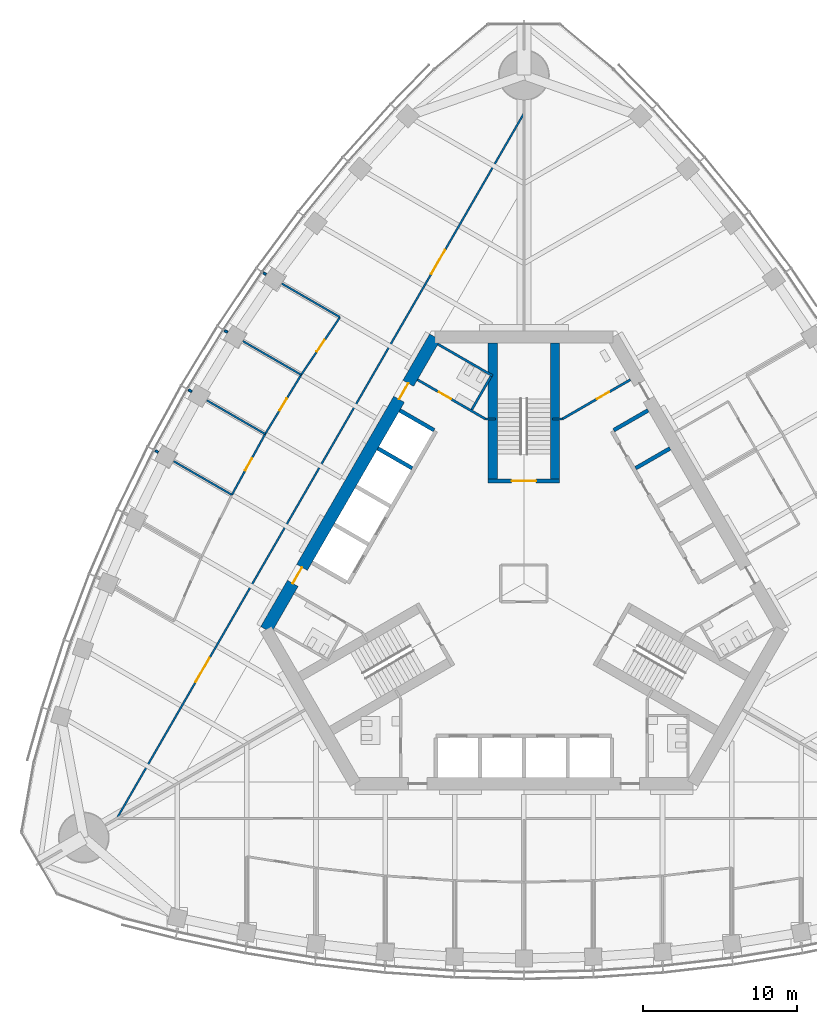
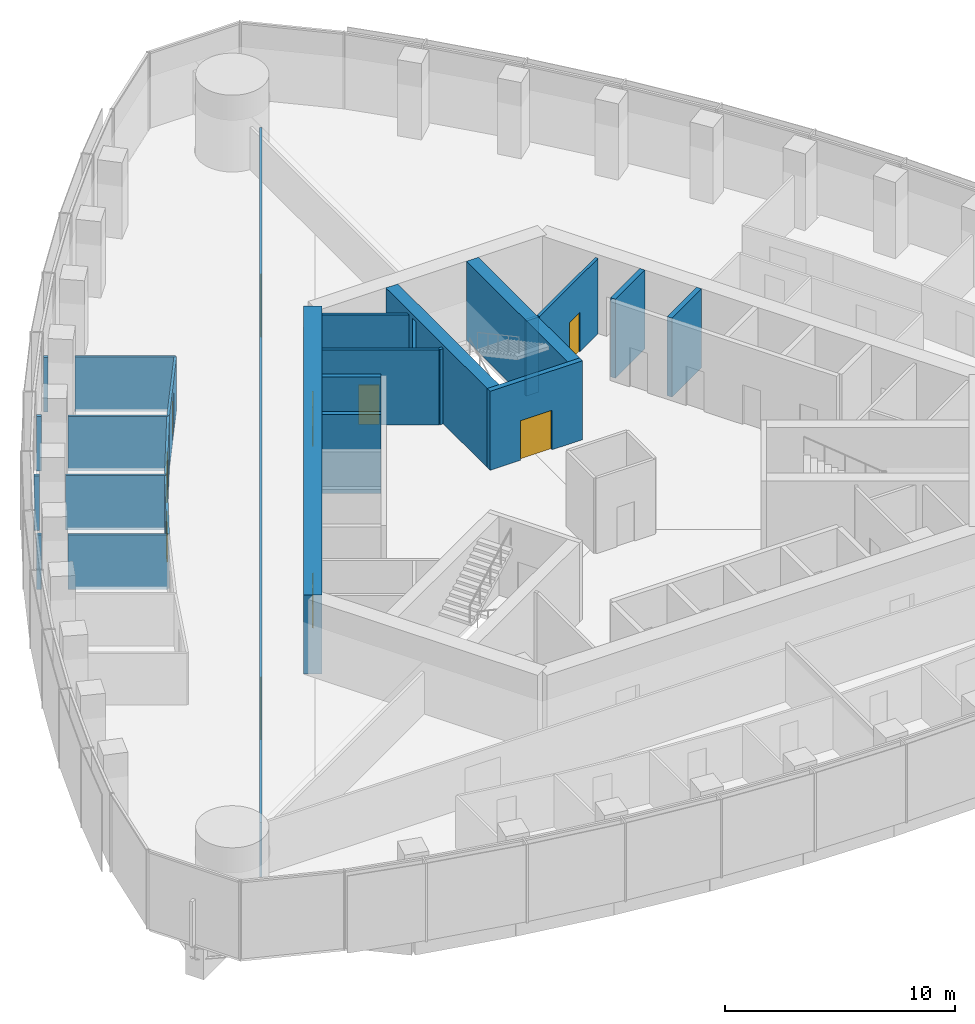
# One storey, part 14 of 20: 26 walls, 10 doors, 10 openings.
"""IFC4 building model written with IfcOpenShell, lengths in metres."""

from ifc_helpers import new_model, si_unit, direction, frame, frame_2d, origin, place, context, subcontext, project, spatial, rectangle, extrude, material, layer, layer_set, type_object, element, fill, save


model = new_model("IFC4")

# Units and contexts
model_context = context("Model", 3, precision=1e-05, world=origin(), true_north=direction((0.0, 1.0)))
body_context = subcontext(model_context, "Body", "Model", "MODEL_VIEW")
ifc_project = project(units=[si_unit("LENGTHUNIT", "METRE"), si_unit("AREAUNIT", "SQUARE_METRE"), si_unit("VOLUMEUNIT", "CUBIC_METRE"), si_unit("PLANEANGLEUNIT", "RADIAN"), si_unit("MASSUNIT", "GRAM", prefix="KILO")], contexts=[model_context])

# Site, building, storey
site_placement = place(None, origin())
site = spatial("IfcSite", under=ifc_project, at=site_placement, CompositionType="ELEMENT")
building_placement = place(site_placement, origin())
building = spatial("IfcBuilding", under=site, at=building_placement, Name="Trefoil Bronze Tower", CompositionType="ELEMENT")
storey_placement = place(building_placement, frame((0.0, 0.0, 214.89990234375)))
storey = spatial("IfcBuildingStorey", under=building, at=storey_placement, Name="L49", CompositionType="ELEMENT", Elevation=214.89990234375)

# Wall, openings, doors
ifc_material_1 = material(Name="Concrete B80", Category="concrete")
ifc_layer_1 = layer(ifc_material_1, 0.800048828125)
ifc_layer_set_1 = layer_set([ifc_layer_1], Name="Core wall 800")
wall_type_1 = type_object("IfcWallType", Name="Core wall 800", PredefinedType="SHEAR", material=ifc_layer_set_1)
wall_1_placement = place(storey_placement, frame((-5.7734375, 16.0, 0.0), z_axis=(0.0, 0.0, 1.0), x_axis=(-0.500002442456, -0.866023993627, 0.0)))
wall_1 = element("IfcWall", 1, at=wall_1_placement, inside=storey, type_object=wall_type_1, Name="Core long wall 3 L49", PredefinedType="SHEAR", context=body_context, shape_type="SweptSolid", body=[
    extrude(rectangle(XDim=21.939453125, YDim=0.800048828125, at=frame_2d((10.9697265625, 0.0))), origin(), (0.0, 0.0, 1.0), 4.2001953125),
])
opening_1_placement = place(wall_1_placement, frame((17.269775390625, 0.0, 0.0)))
opening_1 = element("IfcOpeningElement", 2, at=opening_1_placement, cuts=wall_1, Name="Opening D2", PredefinedType="OPENING", context=body_context, shape_type="SweptSolid", body=[
    extrude(rectangle(XDim=1.199951171875, YDim=2.10009765625, at=frame_2d((0.60009765625, 1.050048828125))), frame((0.0, 0.409912109375, 0.0), z_axis=(0.0, -1.0, 0.0), x_axis=(1.0, 0.0, 0.0)), (0.0, 0.0, 1.0), 0.820068359375),
])
opening_2_placement = place(wall_1_placement, frame((3.4697265625, 0.0, 0.0)))
opening_2 = element("IfcOpeningElement", 3, at=opening_2_placement, cuts=wall_1, Name="Opening D2", PredefinedType="OPENING", context=body_context, shape_type="SweptSolid", body=[
    extrude(rectangle(XDim=1.199951171875, YDim=2.10009765625, at=frame_2d((0.60009765625, 1.050048828125))), frame((0.0, 0.409912109375, 0.0), z_axis=(0.0, -1.0, 0.0), x_axis=(1.0, 0.0, 0.0)), (0.0, 0.0, 1.0), 0.820068359375),
])
ifc_material_2 = material(Name="Steel door", Category="steel")
door_type_1 = type_object("IfcDoorType", Name="Lobby door 1200", OperationType="SINGLE_SWING_RIGHT", PredefinedType="DOOR", material=ifc_material_2)
door_1_placement = place(opening_1_placement, origin())
door_1 = element("IfcDoor", 4, at=door_1_placement, inside=storey, type_object=door_type_1, Name="Lobby door F3+ L49", OperationType="SINGLE_SWING_RIGHT", OverallHeight=2.10009765625, OverallWidth=1.199951171875, PredefinedType="DOOR", context=body_context, shape_type="SweptSolid", body=[
    extrude(rectangle(XDim=1.199951171875, YDim=2.10009765625, at=frame_2d((0.60009765625, 1.050048828125))), frame((0.0, 0.02490234375, 0.0), z_axis=(0.0, -1.0, 0.0), x_axis=(1.0, 0.0, 0.0)), (0.0, 0.0, 1.0), 0.050048828125),
])
fill(opening_1, door_1)
door_2_placement = place(opening_2_placement, origin())
door_2 = element("IfcDoor", 5, at=door_2_placement, inside=storey, type_object=door_type_1, Name="Lobby door F3- L49", OperationType="SINGLE_SWING_LEFT", OverallHeight=2.10009765625, OverallWidth=1.199951171875, PredefinedType="DOOR", context=body_context, shape_type="SweptSolid", body=[
    extrude(rectangle(XDim=1.199951171875, YDim=2.10009765625, at=frame_2d((0.60009765625, 1.050048828125))), frame((0.0, 0.02490234375, 0.0), z_axis=(0.0, -1.0, 0.0), x_axis=(1.0, 0.0, 0.0)), (0.0, 0.0, 1.0), 0.050048828125),
])
fill(opening_2, door_2)

ifc_material_3 = material(Name="Glazed partition", Category="glass")
ifc_layer_2 = layer(ifc_material_3, 0.1201171875)
ifc_layer_set_2 = layer_set([ifc_layer_2], Name="Glazed partition 120")
wall_type_2 = type_object("IfcWallType", Name="Glazed partition 120", PredefinedType="PARTITIONING", material=ifc_layer_set_2)
wall_2_placement = place(storey_placement, frame((-0.016357421875, 30.491455078125, 0.0), z_axis=(0.0, 0.0, 1.0), x_axis=(-0.50000091641, -0.866024874695, 0.0)))
wall_2 = element("IfcWall", 6, at=wall_2_placement, inside=storey, type_object=wall_type_2, Name="Partition F3 L49", PredefinedType="PARTITIONING", context=body_context, shape_type="SweptSolid", body=[
    extrude(rectangle(XDim=52.79638671875, YDim=0.1201171875, at=frame_2d((26.398193359375, 0.0))), origin(), (0.0, 0.0, 1.0), 2.900146484375),
])
opening_3_placement = place(wall_2_placement, frame((10.199951171875, 0.0, 0.14990234375)))
opening_3 = element("IfcOpeningElement", 7, at=opening_3_placement, cuts=wall_2, Name="Opening D10", PredefinedType="OPENING", context=body_context, shape_type="SweptSolid", body=[
    extrude(rectangle(XDim=1.800048828125, YDim=2.10009765625, at=frame_2d((0.89990234375, 1.050048828125))), frame((0.0, 0.070068359375, 0.0), z_axis=(0.0, -1.0, 0.0), x_axis=(1.0, 0.0, 0.0)), (0.0, 0.0, 1.0), 0.14013671875),
])
opening_4_placement = place(wall_2_placement, frame((40.800048828125, 0.0, 0.14990234375)))
opening_4 = element("IfcOpeningElement", 8, at=opening_4_placement, cuts=wall_2, Name="Opening D10", PredefinedType="OPENING", context=body_context, shape_type="SweptSolid", body=[
    extrude(rectangle(XDim=1.800048828125, YDim=2.10009765625, at=frame_2d((0.89990234375, 1.050048828125))), frame((0.0, 0.070068359375, 0.0), z_axis=(0.0, -1.0, 0.0), x_axis=(1.0, 0.0, 0.0)), (0.0, 0.0, 1.0), 0.14013671875),
])
ifc_material_4 = material(Name="Timber door", Category="wood")
door_type_2 = type_object("IfcDoorType", Name="Double door 1800", OperationType="DOUBLE_DOOR_SINGLE_SWING", PredefinedType="DOOR", material=ifc_material_4)
door_3_placement = place(opening_3_placement, origin())
door_3 = element("IfcDoor", 9, at=door_3_placement, inside=storey, type_object=door_type_2, Name="Corridor door F3 L49", OperationType="DOUBLE_DOOR_SINGLE_SWING", OverallHeight=2.10009765625, OverallWidth=1.800048828125, PredefinedType="DOOR", context=body_context, shape_type="SweptSolid", body=[
    extrude(rectangle(XDim=1.800048828125, YDim=2.10009765625, at=frame_2d((0.89990234375, 1.050048828125))), frame((0.0, 0.02490234375, 0.0), z_axis=(0.0, -1.0, 0.0), x_axis=(1.0, 0.0, 0.0)), (0.0, 0.0, 1.0), 0.050048828125),
])
fill(opening_3, door_3)
door_4_placement = place(opening_4_placement, origin())
door_4 = element("IfcDoor", 10, at=door_4_placement, inside=storey, type_object=door_type_2, Name="Corridor door F3 L49", OperationType="DOUBLE_DOOR_SINGLE_SWING", OverallHeight=2.10009765625, OverallWidth=1.800048828125, PredefinedType="DOOR", context=body_context, shape_type="SweptSolid", body=[
    extrude(rectangle(XDim=1.800048828125, YDim=2.10009765625, at=frame_2d((0.89990234375, 1.050048828125))), frame((0.0, 0.02490234375, 0.0), z_axis=(0.0, -1.0, 0.0), x_axis=(1.0, 0.0, 0.0)), (0.0, 0.0, 1.0), 0.050048828125),
])
fill(opening_4, door_4)

# Wall, opening, door
wall_3_placement = place(storey_placement, frame((-16.801513671875, 9.700439453125, 0.0), z_axis=(0.0, 0.0, 1.0), x_axis=(-0.479949984371, -0.877295852322, 0.0)))
wall_3 = element("IfcWall", 11, at=wall_3_placement, inside=storey, type_object=wall_type_2, Name="Partition F3 L49", PredefinedType="PARTITIONING", context=body_context, shape_type="SweptSolid", body=[
    extrude(rectangle(XDim=4.501220703125, YDim=0.1201171875, at=frame_2d((2.25048828125, 0.0))), origin(), (0.0, 0.0, 1.0), 2.900146484375),
])
opening_5_placement = place(wall_3_placement, frame((1.800048828125, 0.0, 0.14990234375)))
opening_5 = element("IfcOpeningElement", 12, at=opening_5_placement, cuts=wall_3, Name="Opening D8", PredefinedType="OPENING", context=body_context, shape_type="SweptSolid", body=[
    extrude(rectangle(XDim=0.89990234375, YDim=2.10009765625, at=frame_2d((0.449951171875, 1.050048828125))), frame((0.0, 0.070068359375, 0.0), z_axis=(0.0, -1.0, 0.0), x_axis=(1.0, 0.0, 0.0)), (0.0, 0.0, 1.0), 0.14013671875),
])
ifc_material_5 = material(Name="Timber door", Category="wood")
door_type_3 = type_object("IfcDoorType", Name="Office door 900", OperationType="SINGLE_SWING_LEFT", PredefinedType="DOOR", material=ifc_material_5)
door_5_placement = place(opening_5_placement, frame((0.89990234375, 0.0, 0.0), z_axis=(0.0, 0.0, 1.0), x_axis=(-1.0, 0.0, 0.0)))
door_5 = element("IfcDoor", 13, at=door_5_placement, inside=storey, type_object=door_type_3, Name="Office door F3 L49", OperationType="SINGLE_SWING_RIGHT", OverallHeight=2.10009765625, OverallWidth=0.89990234375, PredefinedType="DOOR", context=body_context, shape_type="SweptSolid", body=[
    extrude(rectangle(XDim=0.89990234375, YDim=2.10009765625, at=frame_2d((0.449951171875, 1.050048828125))), frame((0.0, 0.02490234375, 0.0), z_axis=(0.0, -1.0, 0.0), x_axis=(1.0, 0.0, 0.0)), (0.0, 0.0, 1.0), 0.050048828125),
])
fill(opening_5, door_5)

wall_4_placement = place(storey_placement, frame((-14.4619140625, 13.545654296875, 0.0), z_axis=(0.0, 0.0, 1.0), x_axis=(-0.519790350351, -0.85429385558, 0.0)))
wall_4 = element("IfcWall", 14, at=wall_4_placement, inside=storey, type_object=wall_type_2, Name="Partition F3 L49", PredefinedType="PARTITIONING", context=body_context, shape_type="SweptSolid", body=[
    extrude(rectangle(XDim=4.5009765625, YDim=0.1201171875, at=frame_2d((2.25048828125, 0.0))), origin(), (0.0, 0.0, 1.0), 2.900146484375),
])
opening_6_placement = place(wall_4_placement, frame((1.800048828125, 0.0, 0.14990234375)))
opening_6 = element("IfcOpeningElement", 15, at=opening_6_placement, cuts=wall_4, Name="Opening D8", PredefinedType="OPENING", context=body_context, shape_type="SweptSolid", body=[
    extrude(rectangle(XDim=0.89990234375, YDim=2.10009765625, at=frame_2d((0.449951171875, 1.050048828125))), frame((0.0, 0.070068359375, 0.0), z_axis=(0.0, -1.0, 0.0), x_axis=(1.0, 0.0, 0.0)), (0.0, 0.0, 1.0), 0.14013671875),
])
door_6_placement = place(opening_6_placement, frame((0.89990234375, 0.0, 0.0), z_axis=(0.0, 0.0, 1.0), x_axis=(-1.0, 0.0, 0.0)))
door_6 = element("IfcDoor", 16, at=door_6_placement, inside=storey, type_object=door_type_3, Name="Office door F3 L49", OperationType="SINGLE_SWING_RIGHT", OverallHeight=2.10009765625, OverallWidth=0.89990234375, PredefinedType="DOOR", context=body_context, shape_type="SweptSolid", body=[
    extrude(rectangle(XDim=0.89990234375, YDim=2.10009765625, at=frame_2d((0.449951171875, 1.050048828125))), frame((0.0, 0.02490234375, 0.0), z_axis=(0.0, -1.0, 0.0), x_axis=(1.0, 0.0, 0.0)), (0.0, 0.0, 1.0), 0.050048828125),
])
fill(opening_6, door_6)

wall_5_placement = place(storey_placement, frame((-11.942626953125, 17.287353515625, 0.0), z_axis=(0.0, 0.0, 1.0), x_axis=(-0.55850386778, -0.829501916619, 0.0)))
wall_5 = element("IfcWall", 17, at=wall_5_placement, inside=storey, type_object=wall_type_2, Name="Partition F3 L49", PredefinedType="PARTITIONING", context=body_context, shape_type="SweptSolid", body=[
    extrude(rectangle(XDim=4.5107421875, YDim=0.1201171875, at=frame_2d((2.25537109375, 0.0))), origin(), (0.0, 0.0, 1.0), 2.900146484375),
])
opening_7_placement = place(wall_5_placement, frame((1.800048828125, 0.0, 0.14990234375)))
opening_7 = element("IfcOpeningElement", 18, at=opening_7_placement, cuts=wall_5, Name="Opening D8", PredefinedType="OPENING", context=body_context, shape_type="SweptSolid", body=[
    extrude(rectangle(XDim=0.89990234375, YDim=2.10009765625, at=frame_2d((0.449951171875, 1.050048828125))), frame((0.0, 0.070068359375, 0.0), z_axis=(0.0, -1.0, 0.0), x_axis=(1.0, 0.0, 0.0)), (0.0, 0.0, 1.0), 0.14013671875),
])
door_7_placement = place(opening_7_placement, frame((0.89990234375, 0.0, 0.0), z_axis=(0.0, 0.0, 1.0), x_axis=(-1.0, 0.0, 0.0)))
door_7 = element("IfcDoor", 19, at=door_7_placement, inside=storey, type_object=door_type_3, Name="Office door F3 L49", OperationType="SINGLE_SWING_RIGHT", OverallHeight=2.10009765625, OverallWidth=0.89990234375, PredefinedType="DOOR", context=body_context, shape_type="SweptSolid", body=[
    extrude(rectangle(XDim=0.89990234375, YDim=2.10009765625, at=frame_2d((0.449951171875, 1.050048828125))), frame((0.0, 0.02490234375, 0.0), z_axis=(0.0, -1.0, 0.0), x_axis=(1.0, 0.0, 0.0)), (0.0, 0.0, 1.0), 0.050048828125),
])
fill(opening_7, door_7)

# Walls
wall_6_placement = place(storey_placement, frame((-16.801513671875, 9.700439453125, 0.0), z_axis=(0.0, 0.0, 1.0), x_axis=(-0.866037657489, 0.499978775361, 0.0)))
element("IfcWall", 20, at=wall_6_placement, inside=storey, type_object=wall_type_2, Name="Partition F3 L49", PredefinedType="PARTITIONING", context=body_context, shape_type="SweptSolid", body=[
    extrude(rectangle(XDim=4.369873046875, YDim=0.1201171875, at=frame_2d((2.18505859375, 0.0))), origin(), (0.0, 0.0, 1.0), 2.900146484375),
])
for number, where, z_axis, x_axis, name in (
    (21, (-18.9619140625, 5.75146484375, 0.0), (0.0, 0.0, 1.0), (-0.866016202281, 0.500015937133, 0.0), "Partition F3 L49"),
    (22, (-14.4619140625, 13.545654296875, 0.0), (0.0, 0.0, 1.0), (-0.866016202281, 0.500015937133, 0.0), "Partition F3 L49"),
):
    element("IfcWall", number, at=place(storey_placement, frame(where, z_axis=z_axis, x_axis=x_axis)), inside=storey, type_object=wall_type_2, Name=name, PredefinedType="PARTITIONING", context=body_context, shape_type="SweptSolid", body=[
        extrude(rectangle(XDim=4.368408203125, YDim=0.1201171875, at=frame_2d((2.18408203125, 0.0))), origin(), (0.0, 0.0, 1.0), 2.900146484375),
    ])
wall_7_placement = place(storey_placement, frame((-11.942626953125, 17.287353515625, 0.0), z_axis=(0.0, 0.0, 1.0), x_axis=(-0.866024423162, 0.500001698484, 0.0)))
element("IfcWall", 23, at=wall_7_placement, inside=storey, type_object=wall_type_2, Name="Partition F3 L49", PredefinedType="PARTITIONING", context=body_context, shape_type="SweptSolid", body=[
    extrude(rectangle(XDim=4.3642578125, YDim=0.1201171875, at=frame_2d((2.18212890625, 0.0))), origin(), (0.0, 0.0, 1.0), 2.900146484375),
])

# Wall, opening, door
ifc_material_6 = material(Name="Gypsum board on steel studs", Category="steel")
ifc_layer_3 = layer(ifc_material_6, 0.14990234375)
ifc_layer_set_3 = layer_set([ifc_layer_3], Name="Partition 150")
wall_type_3 = type_object("IfcWallType", Name="Partition 150", PredefinedType="PARTITIONING", material=ifc_layer_set_3)
wall_8_placement = place(storey_placement, frame((2.4951171875, 10.67822265625, 0.0), z_axis=(0.0, 0.0, 1.0), x_axis=(0.86602216432, 0.500005610874, 0.0)))
wall_8 = element("IfcWall", 24, at=wall_8_placement, inside=storey, type_object=wall_type_3, Name="Passage wall F2+ L49", PredefinedType="PARTITIONING", context=body_context, shape_type="SweptSolid", body=[
    extrude(rectangle(XDim=5.10009765625, YDim=0.14990234375, at=frame_2d((2.550048828125, 0.0))), origin(), (0.0, 0.0, 1.0), 4.0),
])
opening_8_placement = place(wall_8_placement, frame((2.60009765625, 0.0, 0.0)))
opening_8 = element("IfcOpeningElement", 25, at=opening_8_placement, cuts=wall_8, Name="Opening D3", PredefinedType="OPENING", context=body_context, shape_type="SweptSolid", body=[
    extrude(rectangle(XDim=0.89990234375, YDim=2.10009765625, at=frame_2d((0.449951171875, 1.050048828125))), frame((0.0, 0.0849609375, 0.0), z_axis=(0.0, -1.0, 0.0), x_axis=(1.0, 0.0, 0.0)), (0.0, 0.0, 1.0), 0.169921875),
])
ifc_material_7 = material(Name="Timber door", Category="wood")
door_type_4 = type_object("IfcDoorType", Name="WC door 900", OperationType="SINGLE_SWING_LEFT", PredefinedType="DOOR", material=ifc_material_7)
door_8_placement = place(opening_8_placement, origin())
door_8 = element("IfcDoor", 26, at=door_8_placement, inside=storey, type_object=door_type_4, Name="Accessible WC door L49", OperationType="SINGLE_SWING_RIGHT", OverallHeight=2.10009765625, OverallWidth=0.89990234375, PredefinedType="DOOR", context=body_context, shape_type="SweptSolid", body=[
    extrude(rectangle(XDim=0.89990234375, YDim=2.10009765625, at=frame_2d((0.449951171875, 1.050048828125))), frame((0.0, 0.02490234375, 0.0), z_axis=(0.0, -1.0, 0.0), x_axis=(1.0, 0.0, 0.0)), (0.0, 0.0, 1.0), 0.050048828125),
])
fill(opening_8, door_8)

wall_9_placement = place(storey_placement, frame((-2.4951171875, 10.67822265625, 0.0), z_axis=(0.0, 0.0, 1.0), x_axis=(-0.86602216432, 0.500005610874, 0.0)))
wall_9 = element("IfcWall", 27, at=wall_9_placement, inside=storey, type_object=wall_type_3, Name="Passage wall F3- L49", PredefinedType="PARTITIONING", context=body_context, shape_type="SweptSolid", body=[
    extrude(rectangle(XDim=5.10009765625, YDim=0.14990234375, at=frame_2d((2.550048828125, 0.0))), origin(), (0.0, 0.0, 1.0), 4.0),
])
opening_9_placement = place(wall_9_placement, frame((2.60009765625, 0.0, 0.0)))
opening_9 = element("IfcOpeningElement", 28, at=opening_9_placement, cuts=wall_9, Name="Opening D3", PredefinedType="OPENING", context=body_context, shape_type="SweptSolid", body=[
    extrude(rectangle(XDim=0.89990234375, YDim=2.10009765625, at=frame_2d((0.449951171875, 1.050048828125))), frame((0.0, 0.0849609375, 0.0), z_axis=(0.0, -1.0, 0.0), x_axis=(1.0, 0.0, 0.0)), (0.0, 0.0, 1.0), 0.169921875),
])
door_9_placement = place(opening_9_placement, frame((0.89990234375, 0.0, 0.0), z_axis=(0.0, 0.0, 1.0), x_axis=(-1.0, 0.0, 0.0)))
door_9 = element("IfcDoor", 29, at=door_9_placement, inside=storey, type_object=door_type_4, Name="WC (women) door L49", OperationType="SINGLE_SWING_RIGHT", OverallHeight=2.10009765625, OverallWidth=0.89990234375, PredefinedType="DOOR", context=body_context, shape_type="SweptSolid", body=[
    extrude(rectangle(XDim=0.89990234375, YDim=2.10009765625, at=frame_2d((0.449951171875, 1.050048828125))), frame((0.0, 0.02490234375, 0.0), z_axis=(0.0, -1.0, 0.0), x_axis=(1.0, 0.0, 0.0)), (0.0, 0.0, 1.0), 0.050048828125),
])
fill(opening_9, door_9)

# Walls
for number, where, z_axis, x_axis, name in (
    (30, (2.4951171875, 10.67822265625, 0.0), (0.0, 0.0, 1.0), (-1.0, 0.0, 0.0), "WC wall ST2-1 L49"),
    (31, (-2.4951171875, 10.67822265625, 0.0), (0.0, 0.0, 1.0), (1.0, 0.0, 0.0), "WC wall ST2+1 L49"),
):
    element("IfcWall", number, at=place(storey_placement, frame(where, z_axis=z_axis, x_axis=x_axis)), inside=storey, type_object=wall_type_3, Name=name, PredefinedType="PARTITIONING", context=body_context, shape_type="SweptSolid", body=[
        extrude(rectangle(XDim=0.64501953125, YDim=0.14990234375, at=frame_2d((0.322509765625, 0.0))), origin(), (0.0, 0.0, 1.0), 4.0),
    ])
wall_10_placement = place(storey_placement, frame((-2.03125, 13.48193359375, 0.0), z_axis=(0.0, 0.0, 1.0), x_axis=(-0.866050731258, 0.499956128963, 0.0)))
element("IfcWall", 32, at=wall_10_placement, inside=storey, type_object=wall_type_3, Name="WC partition WC (women) L49", PredefinedType="PARTITIONING", context=body_context, shape_type="SweptSolid", body=[
    extrude(rectangle(XDim=4.099853515625, YDim=0.14990234375, at=frame_2d((2.0498046875, 0.0))), origin(), (0.0, 0.0, 1.0), 4.0),
])
wall_11_placement = place(storey_placement, frame((-3.388671875, 11.28076171875, 0.0), z_axis=(0.0, 0.0, 1.0), x_axis=(0.499989096993, 0.866031698547, 0.0)))
element("IfcWall", 33, at=wall_11_placement, inside=storey, type_object=wall_type_3, Name="WC partition WC (women) L49", PredefinedType="PARTITIONING", context=body_context, shape_type="SweptSolid", body=[
    extrude(rectangle(XDim=2.509765625, YDim=0.14990234375, at=frame_2d((1.2548828125, 0.0))), origin(), (0.0, 0.0, 1.0), 4.0),
])
wall_12_placement = place(storey_placement, frame((-21.568115234375, 12.452392578125, 0.0), z_axis=(0.0, 0.0, 1.0), x_axis=(-0.866303639744, 0.499517771221, 0.0)))
element("IfcWall", 34, at=wall_12_placement, inside=storey, type_object=wall_type_3, Name="Partition F3 L49", PredefinedType="PARTITIONING", context=body_context, shape_type="SweptSolid", body=[
    extrude(rectangle(XDim=0.240966796875, YDim=0.14990234375, at=frame_2d((0.12060546875, 0.0))), origin(), (0.0, 0.0, 1.0), 2.900146484375),
])
for number, where, z_axis, x_axis, name in (
    (35, (-23.749267578125, 8.515380859375, 0.0), (0.0, 0.0, 1.0), (-0.865810949009, 0.500371262739, 0.0), "Partition F3 L49"),
    (36, (-19.249267578125, 16.3095703125, 0.0), (0.0, 0.0, 1.0), (-0.865810949009, 0.500371262739, 0.0), "Partition F3 L49"),
):
    element("IfcWall", number, at=place(storey_placement, frame(where, z_axis=z_axis, x_axis=x_axis)), inside=storey, type_object=wall_type_3, Name=name, PredefinedType="PARTITIONING", context=body_context, shape_type="SweptSolid", body=[
        extrude(rectangle(XDim=0.217041015625, YDim=0.14990234375, at=frame_2d((0.1083984375, 0.0))), origin(), (0.0, 0.0, 1.0), 2.900146484375),
    ])
wall_13_placement = place(storey_placement, frame((-16.748291015625, 20.061767578125, 0.0), z_axis=(0.0, 0.0, 1.0), x_axis=(-0.865625187776, 0.500692554656, 0.0)))
element("IfcWall", 37, at=wall_13_placement, inside=storey, type_object=wall_type_3, Name="Partition F3 L49", PredefinedType="PARTITIONING", context=body_context, shape_type="SweptSolid", body=[
    extrude(rectangle(XDim=0.196044921875, YDim=0.14990234375, at=frame_2d((0.09814453125, 0.0))), origin(), (0.0, 0.0, 1.0), 2.900146484375),
])
ifc_material_8 = material(Name="Concrete B80", Category="concrete")
ifc_layer_4 = layer(ifc_material_8, 0.25)
ifc_layer_set_4 = layer_set([ifc_layer_4], Name="Shaft wall 250")
wall_type_4 = type_object("IfcWallType", Name="Shaft wall 250", PredefinedType="SHEAR", material=ifc_layer_set_4)
wall_14_placement = place(storey_placement, frame((7.2568359375, 7.480712890625, 0.0), z_axis=(0.0, 0.0, 1.0), x_axis=(0.866046643894, 0.499963209246, 0.0)))
element("IfcWall", 38, at=wall_14_placement, inside=storey, type_object=wall_type_4, Name="Lift shaft side wall B3 L49", PredefinedType="SHEAR", context=body_context, shape_type="SweptSolid", body=[
    extrude(rectangle(XDim=2.574951171875, YDim=0.25, at=frame_2d((1.28759765625, 0.0))), origin(), (0.0, 0.0, 1.0), 4.2001953125),
])
for number, where, z_axis, x_axis, name in (
    (39, (5.831787109375, 9.94873046875, 0.0), (0.0, 0.0, 1.0), (0.866029291668, 0.499993265928, 0.0), "Lift shaft side wall B4 L49"),
    (40, (-5.831787109375, 9.94873046875, 0.0), (0.0, 0.0, 1.0), (-0.866029291668, 0.499993265928, 0.0), "Lift shaft side wall C0 L49"),
):
    element("IfcWall", number, at=place(storey_placement, frame(where, z_axis=z_axis, x_axis=x_axis)), inside=storey, type_object=wall_type_4, Name=name, PredefinedType="SHEAR", context=body_context, shape_type="SweptSolid", body=[
        extrude(rectangle(XDim=2.5751953125, YDim=0.25, at=frame_2d((1.28759765625, 0.0))), origin(), (0.0, 0.0, 1.0), 4.2001953125),
    ])
wall_15_placement = place(storey_placement, frame((-7.2568359375, 7.480712890625, 0.0), z_axis=(0.0, 0.0, 1.0), x_axis=(-0.866046643894, 0.499963209246, 0.0)))
element("IfcWall", 41, at=wall_15_placement, inside=storey, type_object=wall_type_4, Name="Lift shaft side wall C1 L49", PredefinedType="SHEAR", context=body_context, shape_type="SweptSolid", body=[
    extrude(rectangle(XDim=2.574951171875, YDim=0.25, at=frame_2d((1.28759765625, 0.0))), origin(), (0.0, 0.0, 1.0), 4.2001953125),
])

# Wall, opening, door
wall_16_placement = place(storey_placement, frame((2.324951171875, 6.64990234375, 0.0), z_axis=(0.0, 0.0, 1.0), x_axis=(-1.0, 0.0, 0.0)))
wall_16 = element("IfcWall", 42, at=wall_16_placement, inside=storey, type_object=wall_type_4, Name="Stair end wall ST2 L49", PredefinedType="SHEAR", context=body_context, shape_type="SweptSolid", body=[
    extrude(rectangle(XDim=4.64990234375, YDim=0.25, at=frame_2d((2.324951171875, 0.0))), origin(), (0.0, 0.0, 1.0), 4.2001953125),
])
opening_10_placement = place(wall_16_placement, frame((1.52490234375, 0.0, 0.0)))
opening_10 = element("IfcOpeningElement", 43, at=opening_10_placement, cuts=wall_16, Name="Opening D1", PredefinedType="OPENING", context=body_context, shape_type="SweptSolid", body=[
    extrude(rectangle(XDim=1.60009765625, YDim=2.10009765625, at=frame_2d((0.800048828125, 1.050048828125))), frame((0.0, 0.135009765625, 0.0), z_axis=(0.0, -1.0, 0.0), x_axis=(1.0, 0.0, 0.0)), (0.0, 0.0, 1.0), 0.27001953125),
])
ifc_material_9 = material(Name="Steel door", Category="steel")
door_type_5 = type_object("IfcDoorType", Name="Stair door 1600", OperationType="DOUBLE_DOOR_SINGLE_SWING", PredefinedType="DOOR", material=ifc_material_9)
door_10_placement = place(opening_10_placement, frame((1.60009765625, 0.0, 0.0), z_axis=(0.0, 0.0, 1.0), x_axis=(-1.0, 0.0, 0.0)))
door_10 = element("IfcDoor", 44, at=door_10_placement, inside=storey, type_object=door_type_5, Name="Stair door ST2 L49", OperationType="DOUBLE_DOOR_SINGLE_SWING", OverallHeight=2.10009765625, OverallWidth=1.60009765625, PredefinedType="DOOR", context=body_context, shape_type="SweptSolid", body=[
    extrude(rectangle(XDim=1.60009765625, YDim=2.10009765625, at=frame_2d((0.800048828125, 1.050048828125))), frame((0.0, 0.02490234375, 0.0), z_axis=(0.0, -1.0, 0.0), x_axis=(1.0, 0.0, 0.0)), (0.0, 0.0, 1.0), 0.050048828125),
])
fill(opening_10, door_10)

# Walls
ifc_material_10 = material(Name="Concrete B80", Category="concrete")
ifc_layer_5 = layer(ifc_material_10, 0.60009765625)
ifc_layer_set_5 = layer_set([ifc_layer_5], Name="Stair wall 600")
wall_type_5 = type_object("IfcWallType", Name="Stair wall 600", PredefinedType="SHEAR", material=ifc_layer_set_5)
for number, where, z_axis, x_axis, name in (
    (45, (2.02490234375, 6.52490234375, 0.0), (0.0, 0.0, 1.0), (0.0, 1.0, 0.0), "Stair wall ST2 L49"),
    (46, (-2.02490234375, 6.52490234375, 0.0), (0.0, 0.0, 1.0), (0.0, 1.0, 0.0), "Stair wall ST2 L49"),
):
    element("IfcWall", number, at=place(storey_placement, frame(where, z_axis=z_axis, x_axis=x_axis)), inside=storey, type_object=wall_type_5, Name=name, PredefinedType="SHEAR", context=body_context, shape_type="SweptSolid", body=[
        extrude(rectangle(XDim=9.0751953125, YDim=0.60009765625, at=frame_2d((4.53759765625, 0.0))), origin(), (0.0, 0.0, 1.0), 4.2001953125),
    ])

save(model, "model.ifc")
